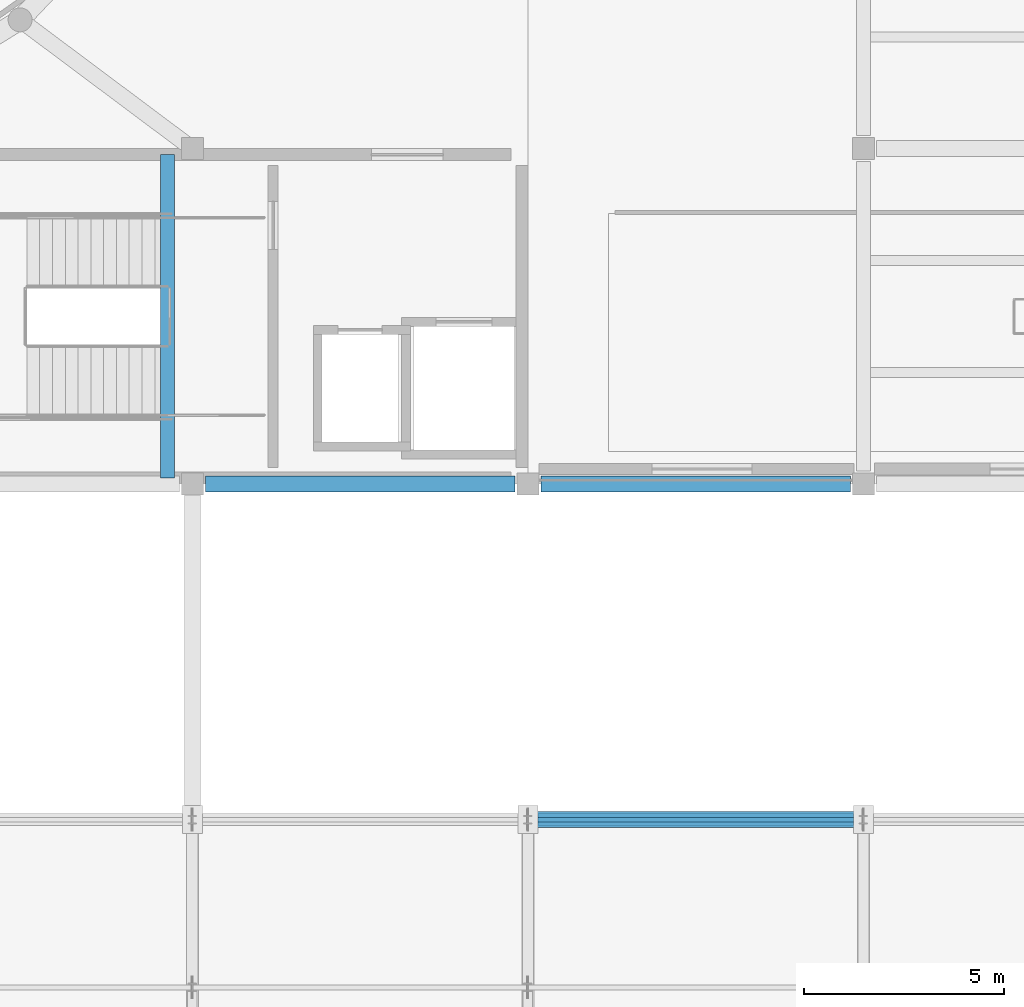
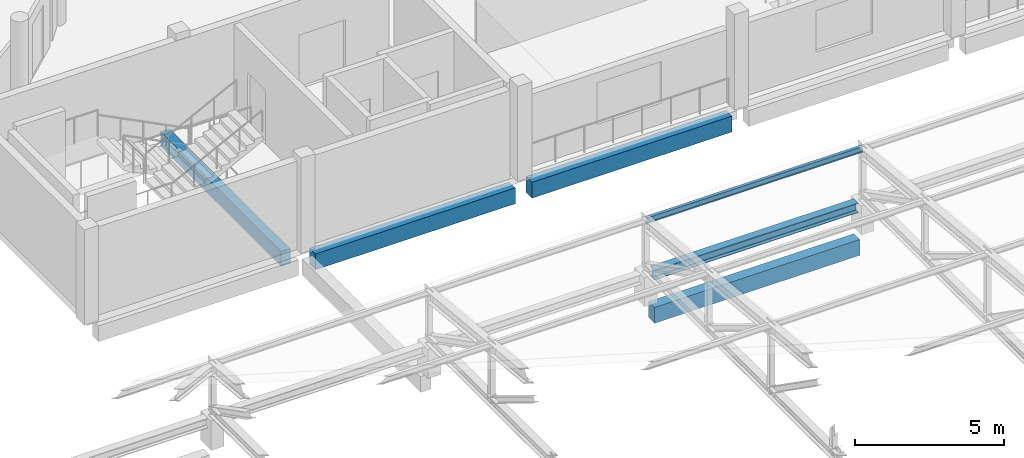
# One storey, part 28 of 74: 5 beams, 1 member.
"""IFC4 building model written with IfcOpenShell, lengths in metres."""

from ifc_helpers import new_model, si_unit, derived_unit, direction, frame, origin, origin_2d, place, context, subcontext, project, spatial, rectangle, i_section, extrude, material, material_profile, profile_set, type_object, element, save


model = new_model("IFC4")

# Units and contexts
model_context = context("Model", 3, precision=1e-05, world=origin(), true_north=direction((0.0, 1.0)))
body_context = subcontext(model_context, "Body", "Model", "MODEL_VIEW")
ifc_project = project(units=[si_unit("LENGTHUNIT", "METRE"), si_unit("AREAUNIT", "SQUARE_METRE"), si_unit("VOLUMEUNIT", "CUBIC_METRE"), si_unit("PLANEANGLEUNIT", "RADIAN"), si_unit("MASSUNIT", "GRAM", prefix="KILO"), derived_unit("THERMALTRANSMITTANCEUNIT", [(si_unit("POWERUNIT", "WATT"), 1), (si_unit("LENGTHUNIT", "METRE"), -2), (si_unit("THERMODYNAMICTEMPERATUREUNIT", "KELVIN"), -1)])], contexts=[model_context])

# Site, building, storey
site_placement = place(None, origin())
site = spatial("IfcSite", under=ifc_project, at=site_placement, CompositionType="ELEMENT")
building_placement = place(site_placement, origin())
building = spatial("IfcBuilding", under=site, at=building_placement, Name="Elbkamm Science Centre", CompositionType="ELEMENT")
storey_placement = place(building_placement, frame((0.0, 0.0, 14.39990234375)))
storey = spatial("IfcBuildingStorey", under=building, at=storey_placement, Name="L03", CompositionType="ELEMENT", Elevation=14.39990234375)

# Beams
ifc_material_1 = material(Name="Concrete C40/50", Category="concrete")
ifc_material_profile_1 = material_profile(ifc_material_1, rectangle(XDim=0.35009765625, YDim=0.60009765625, at=origin_2d()), Name="RC 350x600")
ifc_profile_set_1 = profile_set([ifc_material_profile_1], Name="Concrete C40/50")
beam_type_1 = type_object("IfcBeamType", Name="BM-RC-350x600", PredefinedType="BEAM", material=ifc_profile_set_1)
beam_1_placement = place(storey_placement, frame((83.3798828125, 42.14990234375, -0.2998046875), z_axis=(0.0, 1.0, 0.0), x_axis=(-1.0, 0.0, 0.0)))
element("IfcBeam", 1, at=beam_1_placement, inside=storey, type_object=beam_type_1, Name="L03 ST-C2 Landing Trimmer Beam", PredefinedType="BEAM", context=body_context, shape_type="SweptSolid", body=[
    extrude(rectangle(XDim=0.35009765625, YDim=0.60009765625, at=origin_2d()), origin(), (0.0, 0.0, 1.0), 8.10009765625),
])
ifc_material_profile_2 = material_profile(ifc_material_1, rectangle(XDim=0.39990234375, YDim=0.64990234375, at=origin_2d()), Name="RC 400x650")
ifc_profile_set_2 = profile_set([ifc_material_profile_2], Name="Concrete C40/50")
beam_type_2 = type_object("IfcBeamType", Name="BM-RC-400x650", PredefinedType="BEAM", material=ifc_profile_set_2)
for number, where, z_axis, x_axis, name in (
    (2, (84.324951171875, 42.0, -0.60498046875), (1.0, 0.0, 0.0), (0.0, 1.0, 0.0), "L03 Primary X-Girder 008"),
    (3, (92.72509765625, 42.0, -0.60498046875), (1.0, 0.0, 0.0), (0.0, 1.0, 0.0), "L03 Primary X-Girder 009"),
):
    element("IfcBeam", number, at=place(storey_placement, frame(where, z_axis=z_axis, x_axis=x_axis)), inside=storey, type_object=beam_type_2, Name=name, PredefinedType="BEAM", context=body_context, shape_type="SweptSolid", body=[
        extrude(rectangle(XDim=0.39990234375, YDim=0.64990234375, at=origin_2d()), origin(), (0.0, 0.0, 1.0), 7.75),
    ])
beam_2_placement = place(storey_placement, frame((92.6201171875, 33.60009765625, -0.60498046875), z_axis=(1.0, 0.0, 0.0), x_axis=(0.0, 1.0, 0.0)))
element("IfcBeam", 4, at=beam_2_placement, inside=storey, type_object=beam_type_2, Name="L03 Perimeter Ring Tie Girder 054", PredefinedType="BEAM", context=body_context, shape_type="SweptSolid", body=[
    extrude(rectangle(XDim=0.39990234375, YDim=0.64990234375, at=origin_2d()), origin(), (0.0, 0.0, 1.0), 7.9599609375),
])
ifc_material_2 = material(Name="Steel EN 10025-2 S355J2", Category="steel")
ifc_material_profile_3 = material_profile(ifc_material_2, i_section(OverallWidth=0.300048828125, OverallDepth=0.39990234375, WebThickness=0.013427734375, FlangeThickness=0.02392578125, FilletRadius=0.027099609375, at=origin_2d()), Name="HEB 400")
ifc_profile_set_3 = profile_set([ifc_material_profile_3], Name="Steel EN 10025-2 S355J2")
beam_type_3 = type_object("IfcBeamType", Name="BM-STL-HEB400", PredefinedType="BEAM", material=ifc_profile_set_3)
beam_3_placement = place(storey_placement, frame((92.64990234375, 33.60009765625, 1.0), z_axis=(1.0, 0.0, 0.0), x_axis=(0.0, 1.0, 0.0)))
element("IfcBeam", 5, at=beam_3_placement, inside=storey, type_object=beam_type_3, Name="Theatre Eave Tie Girder N04", PredefinedType="SPANDREL", context=body_context, shape_type="SweptSolid", body=[
    extrude(i_section(OverallWidth=0.300048828125, OverallDepth=0.39990234375, WebThickness=0.013427734375, FlangeThickness=0.02392578125, FilletRadius=0.027099609375, at=origin_2d()), origin(), (0.0, 0.0, 1.0), 7.900146484375),
])

# Member
ifc_material_profile_4 = material_profile(ifc_material_2, i_section(OverallWidth=0.1201171875, OverallDepth=0.239990234375, WebThickness=0.006103515625, FlangeThickness=0.009765625, FilletRadius=0.014892578125, at=origin_2d()), Name="IPE 240")
ifc_profile_set_4 = profile_set([ifc_material_profile_4], Name="Steel EN 10025-2 S355J2")
member_type = type_object("IfcMemberType", Name="MEM-PURLIN-IPE240", PredefinedType="PURLIN", material=ifc_profile_set_4)
member_placement = place(storey_placement, frame((92.39990234375, 33.60009765625, 3.257080078125), z_axis=(1.0, 0.0, 0.0), x_axis=(0.0, 1.0, 0.0)))
element("IfcMember", 6, at=member_placement, inside=storey, type_object=member_type, Name="Theatre Roof Purlin Bay 4-9", PredefinedType="PURLIN", context=body_context, shape_type="SweptSolid", body=[
    extrude(i_section(OverallWidth=0.1201171875, OverallDepth=0.239990234375, WebThickness=0.006103515625, FlangeThickness=0.009765625, FilletRadius=0.014892578125, at=origin_2d()), origin(), (0.0, 0.0, 1.0), 8.400146484375),
])

save(model, "model.ifc")
